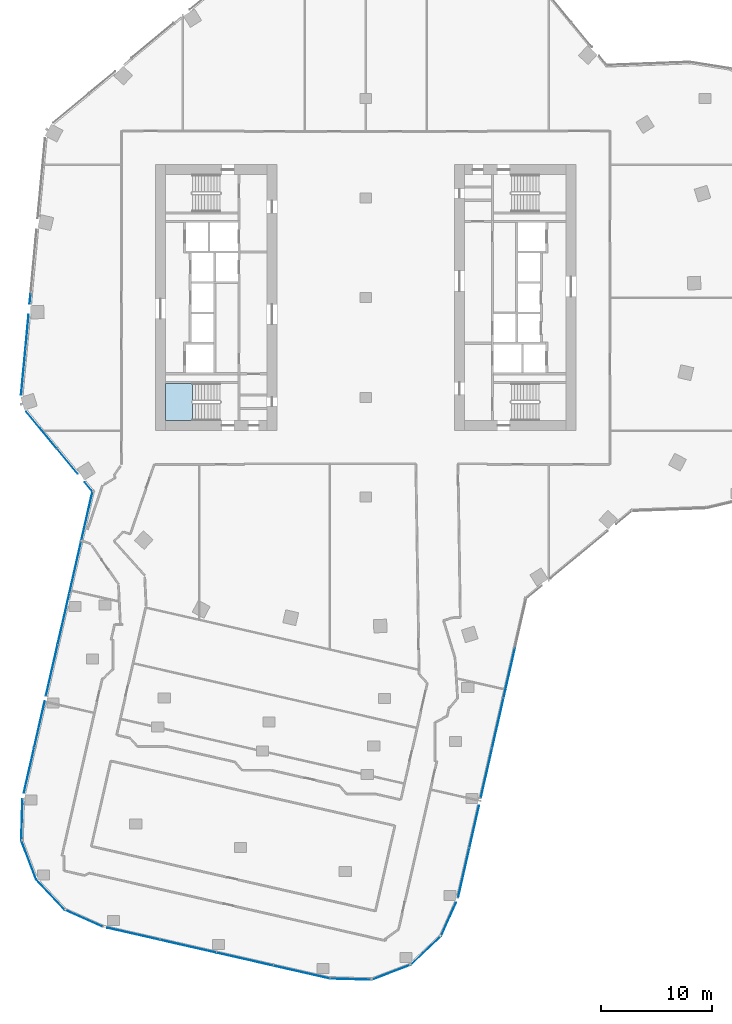
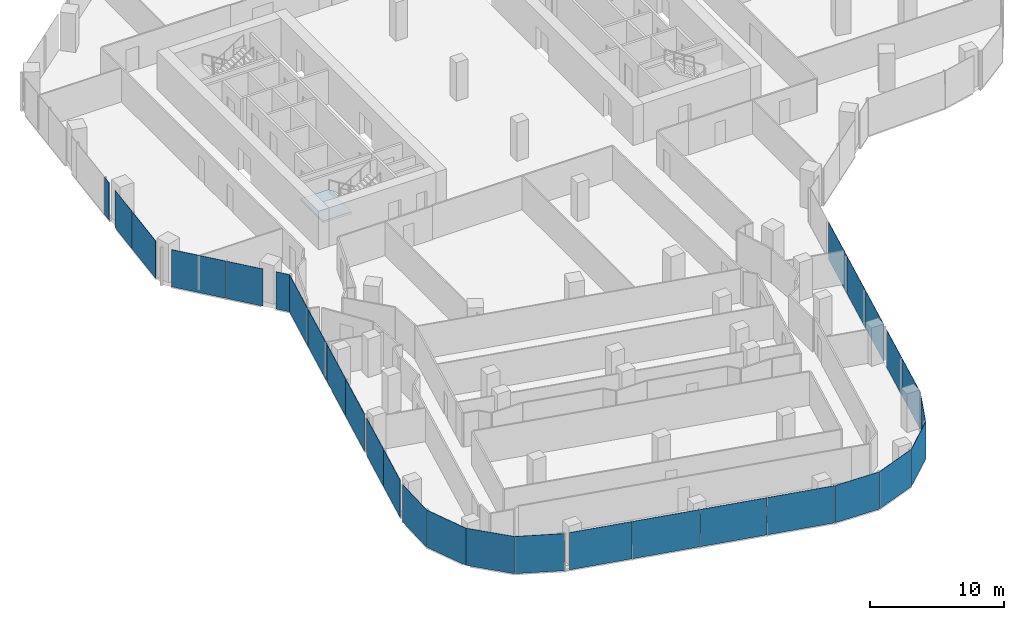
# One storey, part 14 of 24: 29 plates, 1 slab, 14 elements without a shape of their own.
"""IFC4 building model written with IfcOpenShell, lengths in metres."""

from ifc_helpers import new_model, si_unit, direction, frame, origin, origin_2d, place, context, subcontext, project, spatial, polyline, rectangle, outline, extrude, material, layer, layer_set, type_object, element, aggregate, save


model = new_model("IFC4")

# Units and contexts
model_context = context("Model", 3, precision=1e-05, world=origin(), true_north=direction((0.0, 1.0)))
body_context = subcontext(model_context, "Body", "Model", "MODEL_VIEW")
ifc_project = project(units=[si_unit("LENGTHUNIT", "METRE"), si_unit("AREAUNIT", "SQUARE_METRE"), si_unit("VOLUMEUNIT", "CUBIC_METRE"), si_unit("PLANEANGLEUNIT", "RADIAN"), si_unit("MASSUNIT", "GRAM", prefix="KILO")], contexts=[model_context])

# Site, building, storey
site_placement = place(None, origin())
site = spatial("IfcSite", under=ifc_project, at=site_placement, CompositionType="ELEMENT")
building_placement = place(site_placement, origin())
building = spatial("IfcBuilding", under=site, at=building_placement, Name="Orlundy Tower", CompositionType="ELEMENT")
storey_placement = place(building_placement, frame((0.0, 0.0, 177.60009765625)))
storey = spatial("IfcBuildingStorey", under=building, at=storey_placement, Name="L46", CompositionType="ELEMENT", Elevation=177.60009765625)

# Curtain wall, plates
ifc_material_1 = material(Name="Aluminium bronze anodised", Category="aluminium")
curtain_wall_type = type_object("IfcCurtainWallType", Name="CW1 wall", PredefinedType="NOTDEFINED", material=ifc_material_1)
curtain_wall_1_placement = place(storey_placement, origin())
curtain_wall_1 = element("IfcCurtainWall", 1, at=curtain_wall_1_placement, inside=storey, type_object=curtain_wall_type, Name="CW1 run 00", PredefinedType="NOTDEFINED")
ifc_material_2 = material(Name="Tinted glass", Category="glass")
ifc_layer_1 = layer(ifc_material_2, 0.031982421875)
ifc_layer_set_1 = layer_set([ifc_layer_1], Name="CW1 glass panel 32")
plate_type = type_object("IfcPlateType", Name="CW1 glass panel 32", PredefinedType="CURTAIN_PANEL", material=ifc_layer_set_1)
plate_1_placement = place(storey_placement, frame((-30.400390625, -42.668701171875, -0.300048828125), z_axis=(0.0, 0.0, 1.0), x_axis=(0.222096733251, 0.97502463614, 0.0)))
plate_1 = element("IfcPlate", 2, at=plate_1_placement, type_object=plate_type, Name="CW1 panel", PredefinedType="CURTAIN_PANEL", context=body_context, shape_type="SweptSolid", body=[
    extrude(rectangle(XDim=4.1708984375, YDim=0.031982421875, at=origin_2d()), origin(), (0.0, 0.0, 1.0), 3.3798828125),
])
plate_2_placement = place(storey_placement, frame((-29.45654296875, -38.52490234375, -0.300048828125), z_axis=(0.0, 0.0, 1.0), x_axis=(0.222096733251, 0.97502463614, 0.0)))
plate_2 = element("IfcPlate", 3, at=plate_2_placement, type_object=plate_type, Name="CW1 panel", PredefinedType="CURTAIN_PANEL", context=body_context, shape_type="SweptSolid", body=[
    extrude(rectangle(XDim=4.228759765625, YDim=0.031982421875, at=origin_2d()), origin(), (0.0, 0.0, 1.0), 3.3798828125),
])
plate_3_placement = place(storey_placement, frame((-28.347412109375, -33.656005859375, -0.300048828125), z_axis=(0.0, 0.0, 1.0), x_axis=(0.222096733251, 0.97502463614, 0.0)))
plate_3 = element("IfcPlate", 4, at=plate_3_placement, type_object=plate_type, Name="CW1 panel", PredefinedType="CURTAIN_PANEL", context=body_context, shape_type="SweptSolid", body=[
    extrude(rectangle(XDim=4.705322265625, YDim=0.031982421875, at=origin_2d()), origin(), (0.0, 0.0, 1.0), 3.3798828125),
])
plate_4_placement = place(storey_placement, frame((-27.291259765625, -29.019287109375, -0.300048828125), z_axis=(0.0, 0.0, 1.0), x_axis=(0.222096733251, 0.97502463614, 0.0)))
plate_4 = element("IfcPlate", 5, at=plate_4_placement, type_object=plate_type, Name="CW1 panel", PredefinedType="CURTAIN_PANEL", context=body_context, shape_type="SweptSolid", body=[
    extrude(rectangle(XDim=4.705322265625, YDim=0.031982421875, at=origin_2d()), origin(), (0.0, 0.0, 1.0), 3.3798828125),
])
plate_5_placement = place(storey_placement, frame((-26.235107421875, -24.382568359375, -0.300048828125), z_axis=(0.0, 0.0, 1.0), x_axis=(0.222096733251, 0.97502463614, 0.0)))
plate_5 = element("IfcPlate", 6, at=plate_5_placement, type_object=plate_type, Name="CW1 panel", PredefinedType="CURTAIN_PANEL", context=body_context, shape_type="SweptSolid", body=[
    extrude(rectangle(XDim=4.705322265625, YDim=0.031982421875, at=origin_2d()), origin(), (0.0, 0.0, 1.0), 3.3798828125),
])
plate_6_placement = place(storey_placement, frame((-25.185302734375, -19.773193359375, -0.300048828125), z_axis=(0.0, 0.0, 1.0), x_axis=(0.222096733251, 0.97502463614, 0.0)))
plate_6 = element("IfcPlate", 7, at=plate_6_placement, type_object=plate_type, Name="CW1 panel", PredefinedType="CURTAIN_PANEL", context=body_context, shape_type="SweptSolid", body=[
    extrude(rectangle(XDim=4.649658203125, YDim=0.031982421875, at=origin_2d()), origin(), (0.0, 0.0, 1.0), 3.3798828125),
])
aggregate(curtain_wall_1, [plate_1, plate_2, plate_3, plate_4, plate_5, plate_6])

curtain_wall_2_placement = place(storey_placement, origin())
curtain_wall_2 = element("IfcCurtainWall", 8, at=curtain_wall_2_placement, inside=storey, type_object=curtain_wall_type, Name="CW1 run 01", PredefinedType="NOTDEFINED")
plate_7_placement = place(storey_placement, frame((-25.015625, -17.08837890625, -0.300048828125), z_axis=(0.0, 0.0, 1.0), x_axis=(-0.638299162368, 0.769788399055, 0.0)))
plate_7 = element("IfcPlate", 9, at=plate_7_placement, type_object=plate_type, Name="CW1 panel", PredefinedType="CURTAIN_PANEL", context=body_context, shape_type="SweptSolid", body=[
    extrude(rectangle(XDim=1.086181640625, YDim=0.031982421875, at=origin_2d()), origin(), (0.0, 0.0, 1.0), 3.3798828125),
])
plate_8_placement = place(storey_placement, frame((-26.939453125, -14.76806640625, -0.300048828125), z_axis=(0.0, 0.0, 1.0), x_axis=(-0.638299162368, 0.769788399055, 0.0)))
plate_8 = element("IfcPlate", 10, at=plate_8_placement, type_object=plate_type, Name="CW1 panel", PredefinedType="CURTAIN_PANEL", context=body_context, shape_type="SweptSolid", body=[
    extrude(rectangle(XDim=2.910400390625, YDim=0.031982421875, at=origin_2d()), origin(), (0.0, 0.0, 1.0), 3.3798828125),
])
plate_9_placement = place(storey_placement, frame((-29.271240234375, -11.9560546875, -0.300048828125), z_axis=(0.0, 0.0, 1.0), x_axis=(-0.638299162368, 0.769788399055, 0.0)))
plate_9 = element("IfcPlate", 11, at=plate_9_placement, type_object=plate_type, Name="CW1 panel", PredefinedType="CURTAIN_PANEL", context=body_context, shape_type="SweptSolid", body=[
    extrude(rectangle(XDim=4.2958984375, YDim=0.031982421875, at=origin_2d()), origin(), (0.0, 0.0, 1.0), 3.3798828125),
])
aggregate(curtain_wall_2, [plate_7, plate_8, plate_9])

curtain_wall_3_placement = place(storey_placement, origin())
curtain_wall_3 = element("IfcCurtainWall", 12, at=curtain_wall_3_placement, inside=storey, type_object=curtain_wall_type, Name="CW1 run 02", PredefinedType="NOTDEFINED")
plate_10_placement = place(storey_placement, frame((-30.92138671875, -6.709228515625, -0.300048828125), z_axis=(0.0, 0.0, 1.0), x_axis=(0.092948066811, 0.995670958136, 0.0)))
plate_10 = element("IfcPlate", 13, at=plate_10_placement, type_object=plate_type, Name="CW1 panel", PredefinedType="CURTAIN_PANEL", context=body_context, shape_type="SweptSolid", body=[
    extrude(rectangle(XDim=4.14697265625, YDim=0.031982421875, at=origin_2d()), origin(), (0.0, 0.0, 1.0), 3.3798828125),
])
plate_11_placement = place(storey_placement, frame((-30.58203125, -3.073974609375, -0.300048828125), z_axis=(0.0, 0.0, 1.0), x_axis=(0.092948066811, 0.995670958136, 0.0)))
plate_11 = element("IfcPlate", 14, at=plate_11_placement, type_object=plate_type, Name="CW1 panel", PredefinedType="CURTAIN_PANEL", context=body_context, shape_type="SweptSolid", body=[
    extrude(rectangle(XDim=3.05517578125, YDim=0.031982421875, at=origin_2d()), origin(), (0.0, 0.0, 1.0), 3.3798828125),
])
plate_12_placement = place(storey_placement, frame((-30.305908203125, -0.1171875, -0.300048828125), z_axis=(0.0, 0.0, 1.0), x_axis=(0.092948066811, 0.995670958136, 0.0)))
plate_12 = element("IfcPlate", 15, at=plate_12_placement, type_object=plate_type, Name="CW1 panel", PredefinedType="CURTAIN_PANEL", context=body_context, shape_type="SweptSolid", body=[
    extrude(rectangle(XDim=0.846923828125, YDim=0.031982421875, at=origin_2d()), origin(), (0.0, 0.0, 1.0), 3.3798828125),
])
aggregate(curtain_wall_3, [plate_10, plate_11, plate_12])

curtain_wall_4_placement = place(storey_placement, origin())
curtain_wall_4 = element("IfcCurtainWall", 16, at=curtain_wall_4_placement, inside=storey, type_object=curtain_wall_type, Name="CW1 run 018", PredefinedType="NOTDEFINED")
plate_13_placement = place(storey_placement, frame((12.961181640625, -33.886962890625, -0.300048828125), z_axis=(0.0, 0.0, 1.0), x_axis=(-0.222106437373, -0.975022425628, 0.0)))
plate_13 = element("IfcPlate", 17, at=plate_13_placement, type_object=plate_type, Name="CW1 panel", PredefinedType="CURTAIN_PANEL", context=body_context, shape_type="SweptSolid", body=[
    extrude(rectangle(XDim=4.58056640625, YDim=0.031982421875, at=origin_2d()), origin(), (0.0, 0.0, 1.0), 3.3798828125),
])
plate_14_placement = place(storey_placement, frame((11.9326171875, -38.40185546875, -0.300048828125), z_axis=(0.0, 0.0, 1.0), x_axis=(-0.222106437373, -0.975022425628, 0.0)))
plate_14 = element("IfcPlate", 18, at=plate_14_placement, type_object=plate_type, Name="CW1 panel", PredefinedType="CURTAIN_PANEL", context=body_context, shape_type="SweptSolid", body=[
    extrude(rectangle(XDim=4.58056640625, YDim=0.031982421875, at=origin_2d()), origin(), (0.0, 0.0, 1.0), 3.3798828125),
])
plate_15_placement = place(storey_placement, frame((10.904052734375, -42.9169921875, -0.300048828125), z_axis=(0.0, 0.0, 1.0), x_axis=(-0.222106437373, -0.975022425628, 0.0)))
plate_15 = element("IfcPlate", 19, at=plate_15_placement, type_object=plate_type, Name="CW1 panel", PredefinedType="CURTAIN_PANEL", context=body_context, shape_type="SweptSolid", body=[
    extrude(rectangle(XDim=4.58056640625, YDim=0.031982421875, at=origin_2d()), origin(), (0.0, 0.0, 1.0), 3.3798828125),
])
plate_16_placement = place(storey_placement, frame((9.79833984375, -47.77099609375, -0.300048828125), z_axis=(0.0, 0.0, 1.0), x_axis=(-0.222106437373, -0.975022425628, 0.0)))
plate_16 = element("IfcPlate", 20, at=plate_16_placement, type_object=plate_type, Name="CW1 panel", PredefinedType="CURTAIN_PANEL", context=body_context, shape_type="SweptSolid", body=[
    extrude(rectangle(XDim=3.885009765625, YDim=0.031982421875, at=origin_2d()), origin(), (0.0, 0.0, 1.0), 3.3798828125),
])
plate_17_placement = place(storey_placement, frame((8.85400390625, -51.917236328125, -0.300048828125), z_axis=(0.0, 0.0, 1.0), x_axis=(-0.222106437373, -0.975022425628, 0.0)))
plate_17 = element("IfcPlate", 21, at=plate_17_placement, type_object=plate_type, Name="CW1 panel", PredefinedType="CURTAIN_PANEL", context=body_context, shape_type="SweptSolid", body=[
    extrude(rectangle(XDim=4.519775390625, YDim=0.031982421875, at=origin_2d()), origin(), (0.0, 0.0, 1.0), 3.3798828125),
])
aggregate(curtain_wall_4, [plate_13, plate_14, plate_15, plate_16, plate_17])

# Curtain wall, plate
curtain_wall_5_placement = place(storey_placement, origin())
curtain_wall_5 = element("IfcCurtainWall", 22, at=curtain_wall_5_placement, inside=storey, type_object=curtain_wall_type, Name="CW1 run 019", PredefinedType="NOTDEFINED")
plate_18_placement = place(storey_placement, frame((7.473388671875, -56.13427734375, -0.300048828125), z_axis=(0.0, 0.0, 1.0), x_axis=(-0.408164927627, -0.912908205602, 0.0)))
plate_18 = element("IfcPlate", 23, at=plate_18_placement, type_object=plate_type, Name="CW1 panel", PredefinedType="CURTAIN_PANEL", context=body_context, shape_type="SweptSolid", body=[
    extrude(rectangle(XDim=3.317626953125, YDim=0.031982421875, at=origin_2d()), origin(), (0.0, 0.0, 1.0), 3.3798828125),
])
aggregate(curtain_wall_5, [plate_18])

curtain_wall_6_placement = place(storey_placement, origin())
curtain_wall_6 = element("IfcCurtainWall", 24, at=curtain_wall_6_placement, inside=storey, type_object=curtain_wall_type, Name="CW1 run 020", PredefinedType="NOTDEFINED")
plate_19_placement = place(storey_placement, frame((5.42626953125, -58.945068359375, -0.300048828125), z_axis=(0.0, 0.0, 1.0), x_axis=(-0.726391984534, -0.687280644864, 0.0)))
plate_19 = element("IfcPlate", 25, at=plate_19_placement, type_object=plate_type, Name="CW1 panel", PredefinedType="CURTAIN_PANEL", context=body_context, shape_type="SweptSolid", body=[
    extrude(rectangle(XDim=3.772705078125, YDim=0.031982421875, at=origin_2d()), origin(), (0.0, 0.0, 1.0), 3.3798828125),
])
aggregate(curtain_wall_6, [plate_19])

curtain_wall_7_placement = place(storey_placement, origin())
curtain_wall_7 = element("IfcCurtainWall", 26, at=curtain_wall_7_placement, inside=storey, type_object=curtain_wall_type, Name="CW1 run 021", PredefinedType="NOTDEFINED")
plate_20_placement = place(storey_placement, frame((2.29443359375, -60.914794921875, -0.300048828125), z_axis=(0.0, 0.0, 1.0), x_axis=(-0.934115354942, -0.356971292489, 0.0)))
plate_20 = element("IfcPlate", 27, at=plate_20_placement, type_object=plate_type, Name="CW1 panel", PredefinedType="CURTAIN_PANEL", context=body_context, shape_type="SweptSolid", body=[
    extrude(rectangle(XDim=3.771484375, YDim=0.031982421875, at=origin_2d()), origin(), (0.0, 0.0, 1.0), 3.3798828125),
])
aggregate(curtain_wall_7, [plate_20])

curtain_wall_8_placement = place(storey_placement, origin())
curtain_wall_8 = element("IfcCurtainWall", 28, at=curtain_wall_8_placement, inside=storey, type_object=curtain_wall_type, Name="CW1 run 022", PredefinedType="NOTDEFINED")
plate_21_placement = place(storey_placement, frame((-1.331298828125, -61.53662109375, -0.300048828125), z_axis=(0.0, 0.0, 1.0), x_axis=(-0.999621254799, 0.02751993738, 0.0)))
plate_21 = element("IfcPlate", 29, at=plate_21_placement, type_object=plate_type, Name="CW1 panel", PredefinedType="CURTAIN_PANEL", context=body_context, shape_type="SweptSolid", body=[
    extrude(rectangle(XDim=3.72998046875, YDim=0.031982421875, at=origin_2d()), origin(), (0.0, 0.0, 1.0), 3.3798828125),
])
aggregate(curtain_wall_8, [plate_21])

# Curtain wall, plates
curtain_wall_9_placement = place(storey_placement, origin())
curtain_wall_9 = element("IfcCurtainWall", 30, at=curtain_wall_9_placement, inside=storey, type_object=curtain_wall_type, Name="CW1 run 023", PredefinedType="NOTDEFINED")
plate_22_placement = place(storey_placement, frame((-5.7880859375, -60.899658203125, -0.300048828125), z_axis=(0.0, 0.0, 1.0), x_axis=(-0.975026093537, 0.222090335048, 0.0)))
plate_22 = element("IfcPlate", 31, at=plate_22_placement, type_object=plate_type, Name="CW1 panel", PredefinedType="CURTAIN_PANEL", context=body_context, shape_type="SweptSolid", body=[
    extrude(rectangle(XDim=5.216064453125, YDim=0.031982421875, at=origin_2d()), origin(), (0.0, 0.0, 1.0), 3.3798828125),
])
plate_23_placement = place(storey_placement, frame((-10.9150390625, -59.73193359375, -0.300048828125), z_axis=(0.0, 0.0, 1.0), x_axis=(-0.975026093537, 0.222090335048, 0.0)))
plate_23 = element("IfcPlate", 32, at=plate_23_placement, type_object=plate_type, Name="CW1 panel", PredefinedType="CURTAIN_PANEL", context=body_context, shape_type="SweptSolid", body=[
    extrude(rectangle(XDim=5.2001953125, YDim=0.031982421875, at=origin_2d()), origin(), (0.0, 0.0, 1.0), 3.3798828125),
])
plate_24_placement = place(storey_placement, frame((-16.033935546875, -58.56591796875, -0.300048828125), z_axis=(0.0, 0.0, 1.0), x_axis=(-0.975026093537, 0.222090335048, 0.0)))
plate_24 = element("IfcPlate", 33, at=plate_24_placement, type_object=plate_type, Name="CW1 panel", PredefinedType="CURTAIN_PANEL", context=body_context, shape_type="SweptSolid", body=[
    extrude(rectangle(XDim=5.2001953125, YDim=0.031982421875, at=origin_2d()), origin(), (0.0, 0.0, 1.0), 3.3798828125),
])
plate_25_placement = place(storey_placement, frame((-20.98486328125, -57.438232421875, -0.300048828125), z_axis=(0.0, 0.0, 1.0), x_axis=(-0.975026093537, 0.222090335048, 0.0)))
plate_25 = element("IfcPlate", 34, at=plate_25_placement, type_object=plate_type, Name="CW1 panel", PredefinedType="CURTAIN_PANEL", context=body_context, shape_type="SweptSolid", body=[
    extrude(rectangle(XDim=4.85546875, YDim=0.031982421875, at=origin_2d()), origin(), (0.0, 0.0, 1.0), 3.3798828125),
])
aggregate(curtain_wall_9, [plate_22, plate_23, plate_24, plate_25])

# Curtain wall, plate
curtain_wall_10_placement = place(storey_placement, origin())
curtain_wall_10 = element("IfcCurtainWall", 35, at=curtain_wall_10_placement, inside=storey, type_object=curtain_wall_type, Name="CW1 run 024", PredefinedType="NOTDEFINED")
plate_26_placement = place(storey_placement, frame((-25.453857421875, -56.041748046875, -0.300048828125), z_axis=(0.0, 0.0, 1.0), x_axis=(-0.912908205602, 0.408164927627, 0.0)))
plate_26 = element("IfcPlate", 36, at=plate_26_placement, type_object=plate_type, Name="CW1 panel", PredefinedType="CURTAIN_PANEL", context=body_context, shape_type="SweptSolid", body=[
    extrude(rectangle(XDim=3.73046875, YDim=0.031982421875, at=origin_2d()), origin(), (0.0, 0.0, 1.0), 3.3798828125),
])
aggregate(curtain_wall_10, [plate_26])

curtain_wall_11_placement = place(storey_placement, origin())
curtain_wall_11 = element("IfcCurtainWall", 37, at=curtain_wall_11_placement, inside=storey, type_object=curtain_wall_type, Name="CW1 run 025", PredefinedType="NOTDEFINED")
plate_27_placement = place(storey_placement, frame((-28.45263671875, -53.91015625, -0.300048828125), z_axis=(0.0, 0.0, 1.0), x_axis=(-0.68713828172, 0.726526655942, 0.0)))
plate_27 = element("IfcPlate", 38, at=plate_27_placement, type_object=plate_type, Name="CW1 panel", PredefinedType="CURTAIN_PANEL", context=body_context, shape_type="SweptSolid", body=[
    extrude(rectangle(XDim=3.77197265625, YDim=0.031982421875, at=origin_2d()), origin(), (0.0, 0.0, 1.0), 3.3798828125),
])
aggregate(curtain_wall_11, [plate_27])

curtain_wall_12_placement = place(storey_placement, origin())
curtain_wall_12 = element("IfcCurtainWall", 39, at=curtain_wall_12_placement, inside=storey, type_object=curtain_wall_type, Name="CW1 run 026", PredefinedType="NOTDEFINED")
plate_28_placement = place(storey_placement, frame((-30.422119140625, -50.778564453125, -0.300048828125), z_axis=(0.0, 0.0, 1.0), x_axis=(-0.357206695331, 0.934025361974, 0.0)))
plate_28 = element("IfcPlate", 40, at=plate_28_placement, type_object=plate_type, Name="CW1 panel", PredefinedType="CURTAIN_PANEL", context=body_context, shape_type="SweptSolid", body=[
    extrude(rectangle(XDim=3.771728515625, YDim=0.031982421875, at=origin_2d()), origin(), (0.0, 0.0, 1.0), 3.3798828125),
])
aggregate(curtain_wall_12, [plate_28])

curtain_wall_13_placement = place(storey_placement, origin())
curtain_wall_13 = element("IfcCurtainWall", 41, at=curtain_wall_13_placement, inside=storey, type_object=curtain_wall_type, Name="CW1 run 027", PredefinedType="NOTDEFINED")
plate_29_placement = place(storey_placement, frame((-31.0439453125, -47.15283203125, -0.300048828125), z_axis=(0.0, 0.0, 1.0), x_axis=(0.027789533343, 0.999613796342, 0.0)))
plate_29 = element("IfcPlate", 42, at=plate_29_placement, type_object=plate_type, Name="CW1 panel", PredefinedType="CURTAIN_PANEL", context=body_context, shape_type="SweptSolid", body=[
    extrude(rectangle(XDim=3.72998046875, YDim=0.031982421875, at=origin_2d()), origin(), (0.0, 0.0, 1.0), 3.3798828125),
])
aggregate(curtain_wall_13, [plate_29])

# Stair, slab
ifc_material_3 = material(Name="Concrete C50/60", Category="concrete")
stair_type = type_object("IfcStairType", Name="Exit Stair 20 risers", PredefinedType="HALF_TURN_STAIR", material=ifc_material_3)
stair_placement = place(storey_placement, origin())
stair = element("IfcStair", 43, at=stair_placement, inside=storey, type_object=stair_type, Name="L46 Exit Stair ST-W2", PredefinedType="HALF_TURN_STAIR")
ifc_material_4 = material(Name="Concrete C50/60", Category="concrete")
ifc_layer_2 = layer(ifc_material_4, 0.199951171875)
ifc_layer_set_2 = layer_set([ifc_layer_2], Name="Exit Stair Landing")
slab_type = type_object("IfcSlabType", Name="Exit Stair Landing", PredefinedType="LANDING", material=ifc_layer_set_2)
slab_placement = place(storey_placement, frame((0.0, 0.0, 1.5498046875)))
slab = element("IfcSlab", 44, at=slab_placement, type_object=slab_type, Name="ST-W2 landing 1", PredefinedType="LANDING", context=body_context, shape_type="SweptSolid", body=[
    extrude(outline(polyline([(-15.659912109375, -7.75), (-18.10009765625, -7.75), (-18.10009765625, -11.10009765625), (-15.659912109375, -11.10009765625), (-15.659912109375, -7.75)])), origin(), (0.0, 0.0, 1.0), 0.2001953125),
])
aggregate(stair, [slab])

save(model, "model.ifc")
